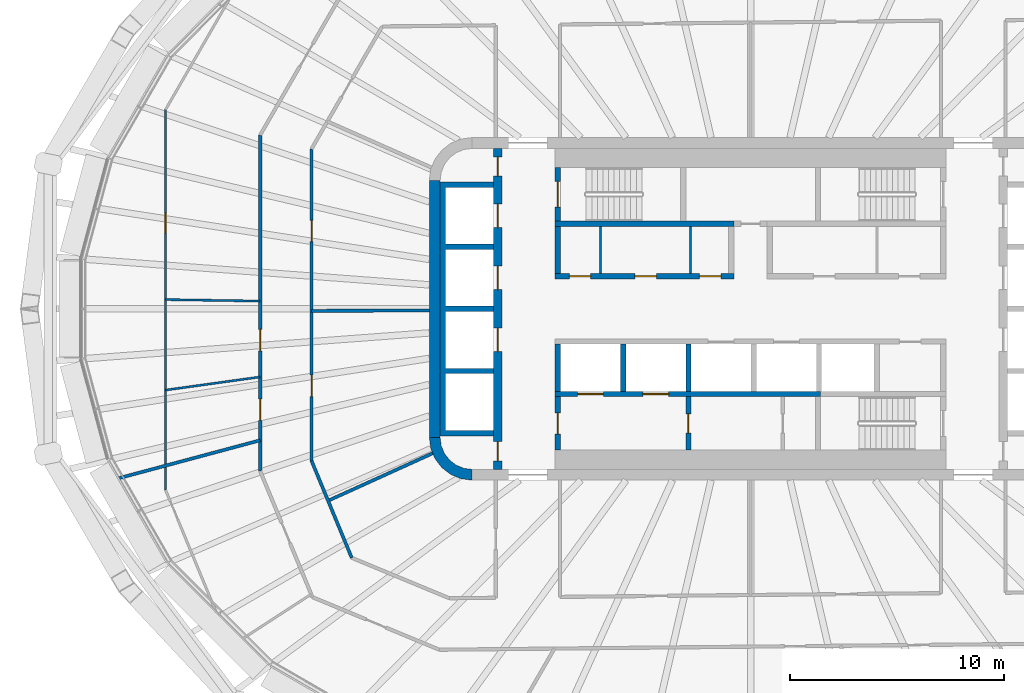
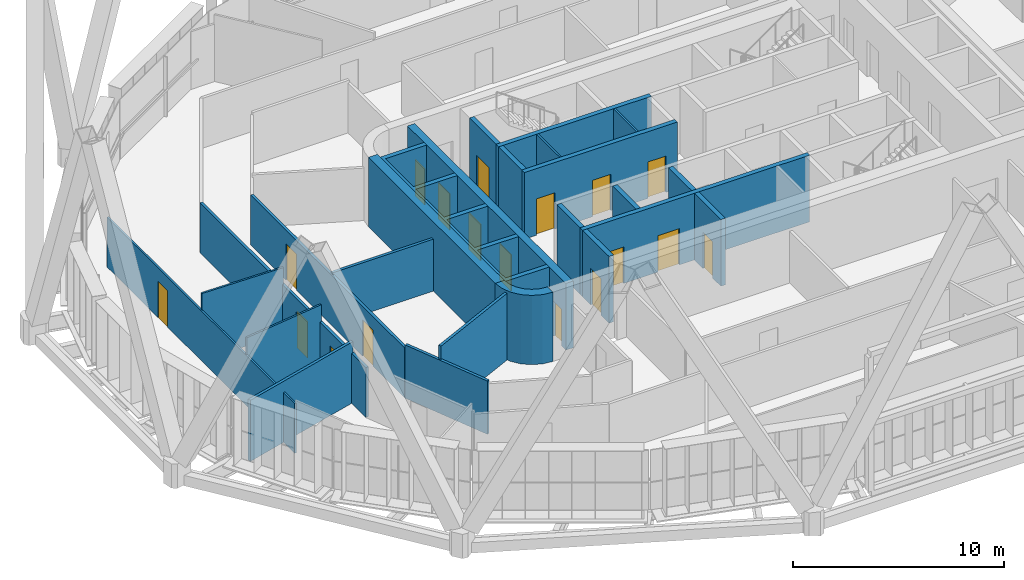
# One storey, part 14 of 25: 25 walls, 18 doors, 18 openings.
"""IFC4 building model written with IfcOpenShell, lengths in metres."""

from ifc_helpers import new_model, si_unit, direction, frame, frame_2d, origin, place, context, subcontext, project, spatial, polyline, rectangle, outline, extrude, material, layer, layer_set, type_object, element, fill, save


model = new_model("IFC4")

# Units and contexts
model_context = context("Model", 3, precision=1e-05, world=origin(), true_north=direction((0.0, 1.0)))
body_context = subcontext(model_context, "Body", "Model", "MODEL_VIEW")
ifc_project = project(units=[si_unit("LENGTHUNIT", "METRE"), si_unit("AREAUNIT", "SQUARE_METRE"), si_unit("VOLUMEUNIT", "CUBIC_METRE"), si_unit("PLANEANGLEUNIT", "RADIAN"), si_unit("MASSUNIT", "GRAM", prefix="KILO")], contexts=[model_context])

# Site, building, storey
site_placement = place(None, origin())
site = spatial("IfcSite", under=ifc_project, at=site_placement, CompositionType="ELEMENT")
building_placement = place(site_placement, origin())
building = spatial("IfcBuilding", under=site, at=building_placement, Name="Sahrelin Media Tower", CompositionType="ELEMENT")
storey_placement = place(building_placement, frame((0.0, 0.0, 165.60009765625)))
storey = spatial("IfcBuildingStorey", under=building, at=storey_placement, Name="L34", CompositionType="ELEMENT", Elevation=165.60009765625)

# Walls
ifc_material_1 = material(Name="Concrete C60/75", Category="concrete")
ifc_layer_1 = layer(ifc_material_1, 0.5)
ifc_layer_set_1 = layer_set([ifc_layer_1], Name="Core wall 500")
wall_type_1 = type_object("IfcWallType", Name="Core wall 500", PredefinedType="SHEAR", material=ifc_layer_set_1)
wall_1_placement = place(storey_placement, frame((-14.75, -6.0, 0.0), z_axis=(0.0, 0.0, 1.0), x_axis=(0.0, 1.0, 0.0)))
element("IfcWall", 1, at=wall_1_placement, inside=storey, type_object=wall_type_1, Name="Core wall W L34", PredefinedType="SHEAR", context=body_context, shape_type="SweptSolid", body=[
    extrude(rectangle(XDim=12.0, YDim=0.5, at=frame_2d((6.0, 0.0))), origin(), (0.0, 0.0, 1.0), 4.0),
])
placement = place(storey_placement, origin())
element("IfcWall", 2, at=placement, inside=storey, type_object=wall_type_1, Name="Core wall corner SW L34", PredefinedType="SHEAR", context=body_context, shape_type="SweptSolid", body=[
    extrude(outline(polyline([(-13.0, -8.0), (-13.0, -7.49560546875), (-13.38720703125, -7.44482421875), (-13.747802734375, -7.29541015625), (-14.0576171875, -7.0576171875), (-14.29541015625, -6.747802734375), (-14.44482421875, -6.38720703125), (-14.49560546875, -6.0), (-15.0, -6.0), (-14.931884765625, -6.517578125), (-14.732177734375, -7.0), (-14.414306640625, -7.414306640625), (-14.0, -7.732177734375), (-13.517578125, -7.931884765625), (-13.0, -8.0)])), origin(), (0.0, 0.0, 1.0), 4.0),
])

# Wall, openings, doors
ifc_material_2 = material(Name="Fire-rated gypsum board partition")
ifc_layer_2 = layer(ifc_material_2, 0.25)
ifc_layer_set_2 = layer_set([ifc_layer_2], Name="Fire-rated lobby wall 250")
wall_type_2 = type_object("IfcWallType", Name="Fire-rated lobby wall 250", PredefinedType="PARTITIONING", material=ifc_layer_set_2)
wall_3_placement = place(storey_placement, frame((-9.125, 1.52490234375, 0.0), z_axis=(0.0, 0.0, 1.0), x_axis=(1.0, 0.0, 0.0)))
wall_3 = element("IfcWall", 3, at=wall_3_placement, inside=storey, type_object=wall_type_2, Name="Core lobby wall", PredefinedType="PARTITIONING", context=body_context, shape_type="SweptSolid", body=[
    extrude(rectangle(XDim=8.35009765625, YDim=0.25, at=frame_2d((4.175048828125, 0.0))), origin(), (0.0, 0.0, 1.0), 3.849853515625),
])
opening_1_placement = place(wall_3_placement, frame((0.66259765625, 0.0, 0.0)))
opening_1 = element("IfcOpeningElement", 4, at=opening_1_placement, cuts=wall_3, Name="Opening L34-D08", PredefinedType="OPENING", context=body_context, shape_type="SweptSolid", body=[
    extrude(rectangle(XDim=1.0, YDim=2.10009765625, at=frame_2d((0.5, 1.050048828125))), frame((0.0, 0.125, 0.0), z_axis=(0.0, -1.0, 0.0), x_axis=(1.0, 0.0, 0.0)), (0.0, 0.0, 1.0), 0.25),
])
opening_2_placement = place(wall_3_placement, frame((3.72509765625, 0.0, 0.0)))
opening_2 = element("IfcOpeningElement", 5, at=opening_2_placement, cuts=wall_3, Name="Opening L34-D09", PredefinedType="OPENING", context=body_context, shape_type="SweptSolid", body=[
    extrude(rectangle(XDim=1.0, YDim=2.10009765625, at=frame_2d((0.5, 1.050048828125))), frame((0.0, 0.125, 0.0), z_axis=(0.0, -1.0, 0.0), x_axis=(1.0, 0.0, 0.0)), (0.0, 0.0, 1.0), 0.25),
])
opening_3_placement = place(wall_3_placement, frame((6.737548828125, 0.0, 0.0)))
opening_3 = element("IfcOpeningElement", 6, at=opening_3_placement, cuts=wall_3, Name="Opening L34-D10", PredefinedType="OPENING", context=body_context, shape_type="SweptSolid", body=[
    extrude(rectangle(XDim=1.0, YDim=2.10009765625, at=frame_2d((0.5, 1.050048828125))), frame((0.0, 0.125, 0.0), z_axis=(0.0, -1.0, 0.0), x_axis=(1.0, 0.0, 0.0)), (0.0, 0.0, 1.0), 0.25),
])
ifc_material_3 = material(Name="Steel fire door leaf", Category="steel")
door_type_1 = type_object("IfcDoorType", Name="Fire door 1000 x 2100 EI 60", OperationType="NOTDEFINED", PredefinedType="DOOR", material=ifc_material_3)
door_1_placement = place(opening_1_placement, origin())
door_1 = element("IfcDoor", 7, at=door_1_placement, inside=storey, type_object=door_type_1, Name="Core room door", OperationType="SINGLE_SWING_LEFT", OverallHeight=2.10009765625, OverallWidth=1.0, PredefinedType="DOOR", context=body_context, shape_type="SweptSolid", body=[
    extrude(rectangle(XDim=1.0, YDim=2.10009765625, at=frame_2d((0.5, 1.050048828125))), frame((0.0, 0.02490234375, 0.0), z_axis=(0.0, -1.0, 0.0), x_axis=(1.0, 0.0, 0.0)), (0.0, 0.0, 1.0), 0.050048828125),
])
fill(opening_1, door_1)
door_2_placement = place(opening_2_placement, origin())
door_2 = element("IfcDoor", 8, at=door_2_placement, inside=storey, type_object=door_type_1, Name="Core room door", OperationType="SINGLE_SWING_LEFT", OverallHeight=2.10009765625, OverallWidth=1.0, PredefinedType="DOOR", context=body_context, shape_type="SweptSolid", body=[
    extrude(rectangle(XDim=1.0, YDim=2.10009765625, at=frame_2d((0.5, 1.050048828125))), frame((0.0, 0.02490234375, 0.0), z_axis=(0.0, -1.0, 0.0), x_axis=(1.0, 0.0, 0.0)), (0.0, 0.0, 1.0), 0.050048828125),
])
fill(opening_2, door_2)
door_3_placement = place(opening_3_placement, origin())
door_3 = element("IfcDoor", 9, at=door_3_placement, inside=storey, type_object=door_type_1, Name="Core room door", OperationType="SINGLE_SWING_LEFT", OverallHeight=2.10009765625, OverallWidth=1.0, PredefinedType="DOOR", context=body_context, shape_type="SweptSolid", body=[
    extrude(rectangle(XDim=1.0, YDim=2.10009765625, at=frame_2d((0.5, 1.050048828125))), frame((0.0, 0.02490234375, 0.0), z_axis=(0.0, -1.0, 0.0), x_axis=(1.0, 0.0, 0.0)), (0.0, 0.0, 1.0), 0.050048828125),
])
fill(opening_3, door_3)

# Walls
wall_4_placement = place(storey_placement, frame((-9.0, 1.64990234375, 0.0), z_axis=(0.0, 0.0, 1.0), x_axis=(0.0, 1.0, 0.0)))
element("IfcWall", 10, at=wall_4_placement, inside=storey, type_object=wall_type_2, Name="Core lobby wall", PredefinedType="PARTITIONING", context=body_context, shape_type="SweptSolid", body=[
    extrude(rectangle(XDim=2.2001953125, YDim=0.25, at=frame_2d((1.10009765625, 0.0))), origin(), (0.0, 0.0, 1.0), 3.849853515625),
])
ifc_layer_3 = layer(ifc_material_2, 0.10009765625)
ifc_layer_set_3 = layer_set([ifc_layer_3], Name="Fire-rated partition 100")
wall_type_3 = type_object("IfcWallType", Name="Fire-rated partition 100", PredefinedType="PARTITIONING", material=ifc_layer_set_3)
for number, where, z_axis, x_axis, name in (
    (11, (-7.0, 1.64990234375, 0.0), (0.0, 0.0, 1.0), (0.0, 1.0, 0.0), "Core room partition"),
    (12, (-2.800048828125, 1.64990234375, 0.0), (0.0, 0.0, 1.0), (0.0, 1.0, 0.0), "Core room partition"),
):
    element("IfcWall", number, at=place(storey_placement, frame(where, z_axis=z_axis, x_axis=x_axis)), inside=storey, type_object=wall_type_3, Name=name, PredefinedType="PARTITIONING", context=body_context, shape_type="SweptSolid", body=[
        extrude(rectangle(XDim=2.2001953125, YDim=0.10009765625, at=frame_2d((1.10009765625, 0.0))), origin(), (0.0, 0.0, 1.0), 3.849853515625),
    ])
ifc_layer_4 = layer(ifc_material_2, 0.14990234375)
ifc_layer_set_4 = layer_set([ifc_layer_4], Name="Fire-rated partition 150")
wall_type_4 = type_object("IfcWallType", Name="Fire-rated partition 150", PredefinedType="PARTITIONING", material=ifc_layer_set_4)
wall_5_placement = place(storey_placement, frame((-20.5, -7.094970703125, 0.0), z_axis=(0.0, 0.0, 1.0), x_axis=(0.382878184095, -0.923798839653, 0.0)))
element("IfcWall", 13, at=wall_5_placement, inside=storey, type_object=wall_type_4, Name="Wall", PredefinedType="PARTITIONING", context=body_context, shape_type="SweptSolid", body=[
    extrude(rectangle(XDim=4.901611328125, YDim=0.14990234375, at=frame_2d((2.45068359375, 0.0))), origin(), (0.0, 0.0, 1.0), 3.075927734375),
])
wall_6_placement = place(storey_placement, frame((-20.5, -0.093994140625, 0.0), z_axis=(0.0, 0.0, 1.0), x_axis=(0.999990148138, 0.004438876723, 0.0)))
element("IfcWall", 14, at=wall_6_placement, inside=storey, type_object=wall_type_4, Name="Wall", PredefinedType="PARTITIONING", context=body_context, shape_type="SweptSolid", body=[
    extrude(rectangle(XDim=5.5, YDim=0.14990234375, at=frame_2d((2.75, 0.0))), origin(), (0.0, 0.0, 1.0), 2.994873046875),
])
wall_7_placement = place(storey_placement, frame((-29.528076171875, -7.912109375, 0.0), z_axis=(0.0, 0.0, 1.0), x_axis=(0.965910567046, 0.258875986659, 0.0)))
element("IfcWall", 15, at=wall_7_placement, inside=storey, type_object=wall_type_4, Name="Wall", PredefinedType="PARTITIONING", context=body_context, shape_type="SweptSolid", body=[
    extrude(rectangle(XDim=6.86181640625, YDim=0.14990234375, at=frame_2d((3.430908203125, 0.0))), origin(), (0.0, 0.0, 1.0), 3.526611328125),
])
wall_8_placement = place(storey_placement, frame((-19.72802734375, -8.9580078125, 0.0), z_axis=(0.0, 0.0, 1.0), x_axis=(0.910629511797, 0.413223779863, 0.0)))
element("IfcWall", 16, at=wall_8_placement, inside=storey, type_object=wall_type_4, Name="Wall", PredefinedType="PARTITIONING", context=body_context, shape_type="SweptSolid", body=[
    extrude(rectangle(XDim=5.3681640625, YDim=0.14990234375, at=frame_2d((2.68408203125, 0.0))), origin(), (0.0, 0.0, 1.0), 3.849853515625),
])

# Wall, openings, doors
wall_9_placement = place(storey_placement, frame((-20.5, -7.094970703125, 0.0), z_axis=(0.0, 0.0, 1.0), x_axis=(0.0, 1.0, 0.0)))
wall_9 = element("IfcWall", 17, at=wall_9_placement, inside=storey, type_object=wall_type_4, Name="Wall", PredefinedType="PARTITIONING", context=body_context, shape_type="SweptSolid", body=[
    extrude(rectangle(XDim=14.569091796875, YDim=0.14990234375, at=frame_2d((7.28466796875, 0.0))), origin(), (0.0, 0.0, 1.0), 2.876953125),
])
opening_4_placement = place(wall_9_placement, frame((10.234375, 0.0, 0.0)))
opening_4 = element("IfcOpeningElement", 18, at=opening_4_placement, cuts=wall_9, Name="Opening L34-D31", PredefinedType="OPENING", context=body_context, shape_type="SweptSolid", body=[
    extrude(rectangle(XDim=1.0, YDim=2.10009765625, at=frame_2d((0.5, 1.050048828125))), frame((0.0, 0.074951171875, 0.0), z_axis=(0.0, -1.0, 0.0), x_axis=(1.0, 0.0, 0.0)), (0.0, 0.0, 1.0), 0.14990234375),
])
opening_5_placement = place(wall_9_placement, frame((3.00048828125, 0.0, 0.0)))
opening_5 = element("IfcOpeningElement", 19, at=opening_5_placement, cuts=wall_9, Name="Opening L34-D32", PredefinedType="OPENING", context=body_context, shape_type="SweptSolid", body=[
    extrude(rectangle(XDim=1.0, YDim=2.10009765625, at=frame_2d((0.5, 1.050048828125))), frame((0.0, 0.074951171875, 0.0), z_axis=(0.0, -1.0, 0.0), x_axis=(1.0, 0.0, 0.0)), (0.0, 0.0, 1.0), 0.14990234375),
])
door_4_placement = place(opening_4_placement, origin())
door_4 = element("IfcDoor", 20, at=door_4_placement, inside=storey, type_object=door_type_1, Name="Fire door", OperationType="SINGLE_SWING_RIGHT", OverallHeight=2.10009765625, OverallWidth=1.0, PredefinedType="DOOR", context=body_context, shape_type="SweptSolid", body=[
    extrude(rectangle(XDim=1.0, YDim=2.10009765625, at=frame_2d((0.5, 1.050048828125))), frame((0.0, 0.02490234375, 0.0), z_axis=(0.0, -1.0, 0.0), x_axis=(1.0, 0.0, 0.0)), (0.0, 0.0, 1.0), 0.050048828125),
])
fill(opening_4, door_4)
door_5_placement = place(opening_5_placement, origin())
door_5 = element("IfcDoor", 21, at=door_5_placement, inside=storey, type_object=door_type_1, Name="Fire door", OperationType="SINGLE_SWING_LEFT", OverallHeight=2.10009765625, OverallWidth=1.0, PredefinedType="DOOR", context=body_context, shape_type="SweptSolid", body=[
    extrude(rectangle(XDim=1.0, YDim=2.10009765625, at=frame_2d((0.5, 1.050048828125))), frame((0.0, 0.02490234375, 0.0), z_axis=(0.0, -1.0, 0.0), x_axis=(1.0, 0.0, 0.0)), (0.0, 0.0, 1.0), 0.050048828125),
])
fill(opening_5, door_5)

wall_10_placement = place(storey_placement, frame((-22.89990234375, -7.572021484375, 0.0), z_axis=(0.0, 0.0, 1.0), x_axis=(0.0, 1.0, 0.0)))
wall_10 = element("IfcWall", 22, at=wall_10_placement, inside=storey, type_object=wall_type_4, Name="Wall", PredefinedType="PARTITIONING", context=body_context, shape_type="SweptSolid", body=[
    extrude(rectangle(XDim=15.68896484375, YDim=0.14990234375, at=frame_2d((7.844482421875, 0.0))), origin(), (0.0, 0.0, 1.0), 2.876953125),
])
opening_6_placement = place(wall_10_placement, frame((5.61376953125, 0.0, 0.0)))
opening_6 = element("IfcOpeningElement", 23, at=opening_6_placement, cuts=wall_10, Name="Opening L34-D36", PredefinedType="OPENING", context=body_context, shape_type="SweptSolid", body=[
    extrude(rectangle(XDim=1.0, YDim=2.10009765625, at=frame_2d((0.5, 1.050048828125))), frame((0.0, 0.074951171875, 0.0), z_axis=(0.0, -1.0, 0.0), x_axis=(1.0, 0.0, 0.0)), (0.0, 0.0, 1.0), 0.14990234375),
])
opening_7_placement = place(wall_10_placement, frame((2.36083984375, 0.0, 0.0)))
opening_7 = element("IfcOpeningElement", 24, at=opening_7_placement, cuts=wall_10, Name="Opening L34-D37", PredefinedType="OPENING", context=body_context, shape_type="SweptSolid", body=[
    extrude(rectangle(XDim=1.0, YDim=2.10009765625, at=frame_2d((0.5, 1.050048828125))), frame((0.0, 0.074951171875, 0.0), z_axis=(0.0, -1.0, 0.0), x_axis=(1.0, 0.0, 0.0)), (0.0, 0.0, 1.0), 0.14990234375),
])
door_6_placement = place(opening_6_placement, origin())
door_6 = element("IfcDoor", 25, at=door_6_placement, inside=storey, type_object=door_type_1, Name="Fire door", OperationType="SINGLE_SWING_RIGHT", OverallHeight=2.10009765625, OverallWidth=1.0, PredefinedType="DOOR", context=body_context, shape_type="SweptSolid", body=[
    extrude(rectangle(XDim=1.0, YDim=2.10009765625, at=frame_2d((0.5, 1.050048828125))), frame((0.0, 0.02490234375, 0.0), z_axis=(0.0, -1.0, 0.0), x_axis=(1.0, 0.0, 0.0)), (0.0, 0.0, 1.0), 0.050048828125),
])
fill(opening_6, door_6)
door_7_placement = place(opening_7_placement, origin())
door_7 = element("IfcDoor", 26, at=door_7_placement, inside=storey, type_object=door_type_1, Name="Fire door", OperationType="SINGLE_SWING_LEFT", OverallHeight=2.10009765625, OverallWidth=1.0, PredefinedType="DOOR", context=body_context, shape_type="SweptSolid", body=[
    extrude(rectangle(XDim=1.0, YDim=2.10009765625, at=frame_2d((0.5, 1.050048828125))), frame((0.0, 0.02490234375, 0.0), z_axis=(0.0, -1.0, 0.0), x_axis=(1.0, 0.0, 0.0)), (0.0, 0.0, 1.0), 0.050048828125),
])
fill(opening_7, door_7)

# Wall, opening, door
ifc_layer_5 = layer(ifc_material_2, 0.25)
ifc_layer_set_5 = layer_set([ifc_layer_5], Name="Firefighting lobby wall 250")
wall_type_5 = type_object("IfcWallType", Name="Firefighting lobby wall 250", PredefinedType="PARTITIONING", material=ifc_layer_set_5)
wall_11_placement = place(storey_placement, frame((-9.0, -6.60009765625, 0.0), z_axis=(0.0, 0.0, 1.0), x_axis=(0.0, 1.0, 0.0)))
wall_11 = element("IfcWall", 27, at=wall_11_placement, inside=storey, type_object=wall_type_5, Name="Core wall", PredefinedType="PARTITIONING", context=body_context, shape_type="SweptSolid", body=[
    extrude(rectangle(XDim=2.5, YDim=0.25, at=frame_2d((1.25, 0.0))), origin(), (0.0, 0.0, 1.0), 3.849853515625),
])
opening_8_placement = place(wall_11_placement, frame((0.75, 0.0, 0.0)))
opening_8 = element("IfcOpeningElement", 28, at=opening_8_placement, cuts=wall_11, Name="Opening L34-D04", PredefinedType="OPENING", context=body_context, shape_type="SweptSolid", body=[
    extrude(rectangle(XDim=1.0, YDim=2.10009765625, at=frame_2d((0.5, 1.050048828125))), frame((0.0, 0.125, 0.0), z_axis=(0.0, -1.0, 0.0), x_axis=(1.0, 0.0, 0.0)), (0.0, 0.0, 1.0), 0.25),
])
door_type_2 = type_object("IfcDoorType", Name="Firefighting lobby door 1000 x 2100 EI 120", OperationType="NOTDEFINED", PredefinedType="DOOR", material=ifc_material_3)
door_8_placement = place(opening_8_placement, origin())
door_8 = element("IfcDoor", 29, at=door_8_placement, inside=storey, type_object=door_type_2, Name="Firefighting lobby door", OperationType="SINGLE_SWING_LEFT", OverallHeight=2.10009765625, OverallWidth=1.0, PredefinedType="DOOR", context=body_context, shape_type="SweptSolid", body=[
    extrude(rectangle(XDim=1.0, YDim=2.10009765625, at=frame_2d((0.5, 1.050048828125))), frame((0.0, 0.02490234375, 0.0), z_axis=(0.0, -1.0, 0.0), x_axis=(1.0, 0.0, 0.0)), (0.0, 0.0, 1.0), 0.050048828125),
])
fill(opening_8, door_8)

wall_12_placement = place(storey_placement, frame((-2.89990234375, -6.60009765625, 0.0), z_axis=(0.0, 0.0, 1.0), x_axis=(0.0, 1.0, 0.0)))
wall_12 = element("IfcWall", 30, at=wall_12_placement, inside=storey, type_object=wall_type_5, Name="Core wall", PredefinedType="PARTITIONING", context=body_context, shape_type="SweptSolid", body=[
    extrude(rectangle(XDim=2.5, YDim=0.25, at=frame_2d((1.25, 0.0))), origin(), (0.0, 0.0, 1.0), 3.849853515625),
])
opening_9_placement = place(wall_12_placement, frame((0.800048828125, 0.0, 0.0)))
opening_9 = element("IfcOpeningElement", 31, at=opening_9_placement, cuts=wall_12, Name="Opening L34-D05", PredefinedType="OPENING", context=body_context, shape_type="SweptSolid", body=[
    extrude(rectangle(XDim=0.89990234375, YDim=2.10009765625, at=frame_2d((0.449951171875, 1.050048828125))), frame((0.0, 0.125, 0.0), z_axis=(0.0, -1.0, 0.0), x_axis=(1.0, 0.0, 0.0)), (0.0, 0.0, 1.0), 0.25),
])
door_type_3 = type_object("IfcDoorType", Name="Firefighting lobby door 900 x 2100 EI 120", OperationType="NOTDEFINED", PredefinedType="DOOR", material=ifc_material_3)
door_9_placement = place(opening_9_placement, origin())
door_9 = element("IfcDoor", 32, at=door_9_placement, inside=storey, type_object=door_type_3, Name="Riser door", OperationType="SINGLE_SWING_RIGHT", OverallHeight=2.10009765625, OverallWidth=0.89990234375, PredefinedType="DOOR", context=body_context, shape_type="SweptSolid", body=[
    extrude(rectangle(XDim=0.89990234375, YDim=2.10009765625, at=frame_2d((0.449951171875, 1.050048828125))), frame((0.0, 0.02490234375, 0.0), z_axis=(0.0, -1.0, 0.0), x_axis=(1.0, 0.0, 0.0)), (0.0, 0.0, 1.0), 0.050048828125),
])
fill(opening_9, door_9)

# Wall, openings, doors
ifc_layer_6 = layer(ifc_material_1, 0.25)
ifc_layer_set_6 = layer_set([ifc_layer_6], Name="Lift shaft wall 250")
wall_type_6 = type_object("IfcWallType", Name="Lift shaft wall 250", PredefinedType="SOLIDWALL", material=ifc_layer_set_6)
wall_13_placement = place(storey_placement, frame((-9.125, -3.97509765625, 0.0), z_axis=(0.0, 0.0, 1.0), x_axis=(1.0, 0.0, 0.0)))
wall_13 = element("IfcWall", 33, at=wall_13_placement, inside=storey, type_object=wall_type_6, Name="Lift shaft wall", PredefinedType="SOLIDWALL", context=body_context, shape_type="SweptSolid", body=[
    extrude(rectangle(XDim=12.39990234375, YDim=0.25, at=frame_2d((6.199951171875, 0.0))), origin(), (0.0, 0.0, 1.0), 3.849853515625),
])
opening_10_placement = place(wall_13_placement, frame((1.050048828125, 0.0, 0.0)))
opening_10 = element("IfcOpeningElement", 34, at=opening_10_placement, cuts=wall_13, Name="Opening L34-LD-FF1", PredefinedType="OPENING", context=body_context, shape_type="SweptSolid", body=[
    extrude(rectangle(XDim=1.199951171875, YDim=2.10009765625, at=frame_2d((0.60009765625, 1.050048828125))), frame((0.0, 0.125, 0.0), z_axis=(0.0, -1.0, 0.0), x_axis=(1.0, 0.0, 0.0)), (0.0, 0.0, 1.0), 0.25),
])
opening_11_placement = place(wall_13_placement, frame((4.10009765625, 0.0, 0.0)))
opening_11 = element("IfcOpeningElement", 35, at=opening_11_placement, cuts=wall_13, Name="Opening L34-LD-FF2", PredefinedType="OPENING", context=body_context, shape_type="SweptSolid", body=[
    extrude(rectangle(XDim=1.199951171875, YDim=2.10009765625, at=frame_2d((0.60009765625, 1.050048828125))), frame((0.0, 0.125, 0.0), z_axis=(0.0, -1.0, 0.0), x_axis=(1.0, 0.0, 0.0)), (0.0, 0.0, 1.0), 0.25),
])
ifc_material_4 = material(Name="Stainless steel", Category="steel")
door_type_4 = type_object("IfcDoorType", Name="Lift landing door 1200 x 2100 EI 120", OperationType="DOUBLE_DOOR_SLIDING", PredefinedType="DOOR", material=ifc_material_4)
door_10_placement = place(opening_10_placement, origin())
door_10 = element("IfcDoor", 36, at=door_10_placement, inside=storey, type_object=door_type_4, Name="Lift landing door FF1", OperationType="DOUBLE_DOOR_SLIDING", OverallHeight=2.10009765625, OverallWidth=1.199951171875, PredefinedType="DOOR", context=body_context, shape_type="SweptSolid", body=[
    extrude(rectangle(XDim=1.199951171875, YDim=2.10009765625, at=frame_2d((0.60009765625, 1.050048828125))), frame((0.0, 0.02490234375, 0.0), z_axis=(0.0, -1.0, 0.0), x_axis=(1.0, 0.0, 0.0)), (0.0, 0.0, 1.0), 0.050048828125),
])
fill(opening_10, door_10)
door_11_placement = place(opening_11_placement, origin())
door_11 = element("IfcDoor", 37, at=door_11_placement, inside=storey, type_object=door_type_4, Name="Lift landing door FF2", OperationType="DOUBLE_DOOR_SLIDING", OverallHeight=2.10009765625, OverallWidth=1.199951171875, PredefinedType="DOOR", context=body_context, shape_type="SweptSolid", body=[
    extrude(rectangle(XDim=1.199951171875, YDim=2.10009765625, at=frame_2d((0.60009765625, 1.050048828125))), frame((0.0, 0.02490234375, 0.0), z_axis=(0.0, -1.0, 0.0), x_axis=(1.0, 0.0, 0.0)), (0.0, 0.0, 1.0), 0.050048828125),
])
fill(opening_11, door_11)

# Walls
for number, where, z_axis, x_axis, name in (
    (38, (-9.0, -3.85009765625, 0.0), (0.0, 0.0, 1.0), (0.0, 1.0, 0.0), "Lift shaft wall"),
    (39, (-5.949951171875, -3.85009765625, 0.0), (0.0, 0.0, 1.0), (0.0, 1.0, 0.0), "Lift shaft wall"),
    (40, (-2.89990234375, -3.85009765625, 0.0), (0.0, 0.0, 1.0), (0.0, 1.0, 0.0), "Lift shaft wall"),
):
    element("IfcWall", number, at=place(storey_placement, frame(where, z_axis=z_axis, x_axis=x_axis)), inside=storey, type_object=wall_type_6, Name=name, PredefinedType="SOLIDWALL", context=body_context, shape_type="SweptSolid", body=[
        extrude(rectangle(XDim=2.2001953125, YDim=0.25, at=frame_2d((1.10009765625, 0.0))), origin(), (0.0, 0.0, 1.0), 3.849853515625),
    ])
element("IfcWall", 41, at=placement, inside=storey, type_object=wall_type_6, Name="Lift shaft wall", PredefinedType="SOLIDWALL", context=body_context, shape_type="SweptSolid", body=[
    extrude(outline(polyline([(-12.0, -5.925048828125), (-12.0, -5.675048828125), (-14.25, -5.675048828125), (-14.25, -3.02490234375), (-12.0, -3.02490234375), (-12.0, -2.77490234375), (-14.25, -2.77490234375), (-14.25, -0.125), (-12.0, -0.125), (-12.0, 0.125), (-14.25, 0.125), (-14.25, 2.77490234375), (-12.0, 2.77490234375), (-12.0, 3.02490234375), (-14.25, 3.02490234375), (-14.25, 5.675048828125), (-12.0, 5.675048828125), (-12.0, 5.925048828125), (-14.25, 5.925048828125), (-14.5, 5.925048828125), (-14.5, 5.675048828125), (-14.5, 3.02490234375), (-14.5, 2.77490234375), (-14.5, 0.125), (-14.5, -0.125), (-14.5, -2.77490234375), (-14.5, -3.02490234375), (-14.5, -5.675048828125), (-14.5, -5.925048828125), (-14.25, -5.925048828125), (-12.0, -5.925048828125)])), origin(), (0.0, 0.0, 1.0), 3.849853515625),
])

# Wall, openings, doors
ifc_layer_7 = layer(ifc_material_1, 0.39990234375)
ifc_layer_set_7 = layer_set([ifc_layer_7], Name="Lift shaft wall 400")
wall_type_7 = type_object("IfcWallType", Name="Lift shaft wall 400", PredefinedType="SOLIDWALL", material=ifc_layer_set_7)
wall_15_placement = place(storey_placement, frame((-11.800048828125, -7.5, 0.0), z_axis=(0.0, 0.0, 1.0), x_axis=(0.0, 1.0, 0.0)))
wall_15 = element("IfcWall", 42, at=wall_15_placement, inside=storey, type_object=wall_type_7, Name="Lift shaft wall", PredefinedType="SOLIDWALL", context=body_context, shape_type="SweptSolid", body=[
    extrude(rectangle(XDim=15.0, YDim=0.39990234375, at=frame_2d((7.5, 0.0))), origin(), (0.0, 0.0, 1.0), 3.849853515625),
])
opening_12_placement = place(wall_15_placement, frame((11.300048828125, 0.0, 0.0)))
opening_12 = element("IfcOpeningElement", 43, at=opening_12_placement, cuts=wall_15, Name="Opening L34-LD-LR1", PredefinedType="OPENING", context=body_context, shape_type="SweptSolid", body=[
    extrude(rectangle(XDim=1.10009765625, YDim=2.10009765625, at=frame_2d((0.550048828125, 1.050048828125))), frame((0.0, 0.199951171875, 0.0), z_axis=(0.0, -1.0, 0.0), x_axis=(1.0, 0.0, 0.0)), (0.0, 0.0, 1.0), 0.39990234375),
])
opening_13_placement = place(wall_15_placement, frame((8.39990234375, 0.0, 0.0)))
opening_13 = element("IfcOpeningElement", 44, at=opening_13_placement, cuts=wall_15, Name="Opening L34-LD-LR2", PredefinedType="OPENING", context=body_context, shape_type="SweptSolid", body=[
    extrude(rectangle(XDim=1.10009765625, YDim=2.10009765625, at=frame_2d((0.550048828125, 1.050048828125))), frame((0.0, 0.199951171875, 0.0), z_axis=(0.0, -1.0, 0.0), x_axis=(1.0, 0.0, 0.0)), (0.0, 0.0, 1.0), 0.39990234375),
])
opening_14_placement = place(wall_15_placement, frame((5.5, 0.0, 0.0)))
opening_14 = element("IfcOpeningElement", 45, at=opening_14_placement, cuts=wall_15, Name="Opening L34-LD-LR3", PredefinedType="OPENING", context=body_context, shape_type="SweptSolid", body=[
    extrude(rectangle(XDim=1.10009765625, YDim=2.10009765625, at=frame_2d((0.550048828125, 1.050048828125))), frame((0.0, 0.199951171875, 0.0), z_axis=(0.0, -1.0, 0.0), x_axis=(1.0, 0.0, 0.0)), (0.0, 0.0, 1.0), 0.39990234375),
])
opening_15_placement = place(wall_15_placement, frame((13.696533203125, 0.0, 0.0)))
opening_15 = element("IfcOpeningElement", 46, at=opening_15_placement, cuts=wall_15, Name="Opening L34-D14", PredefinedType="OPENING", context=body_context, shape_type="SweptSolid", body=[
    extrude(rectangle(XDim=0.89990234375, YDim=2.10009765625, at=frame_2d((0.449951171875, 1.050048828125))), frame((0.0, 0.199951171875, 0.0), z_axis=(0.0, -1.0, 0.0), x_axis=(1.0, 0.0, 0.0)), (0.0, 0.0, 1.0), 0.39990234375),
])
opening_16_placement = place(wall_15_placement, frame((0.4033203125, 0.0, 0.0)))
opening_16 = element("IfcOpeningElement", 47, at=opening_16_placement, cuts=wall_15, Name="Opening L34-D15", PredefinedType="OPENING", context=body_context, shape_type="SweptSolid", body=[
    extrude(rectangle(XDim=0.89990234375, YDim=2.10009765625, at=frame_2d((0.449951171875, 1.050048828125))), frame((0.0, 0.199951171875, 0.0), z_axis=(0.0, -1.0, 0.0), x_axis=(1.0, 0.0, 0.0)), (0.0, 0.0, 1.0), 0.39990234375),
])
door_type_5 = type_object("IfcDoorType", Name="Lift landing door 1100 x 2100 EI 120", OperationType="DOUBLE_DOOR_SLIDING", PredefinedType="DOOR", material=ifc_material_4)
door_12_placement = place(opening_12_placement, origin())
door_12 = element("IfcDoor", 48, at=door_12_placement, inside=storey, type_object=door_type_5, Name="Lift landing door LR1", OperationType="DOUBLE_DOOR_SLIDING", OverallHeight=2.10009765625, OverallWidth=1.10009765625, PredefinedType="DOOR", context=body_context, shape_type="SweptSolid", body=[
    extrude(rectangle(XDim=1.10009765625, YDim=2.10009765625, at=frame_2d((0.550048828125, 1.050048828125))), frame((0.0, 0.02490234375, 0.0), z_axis=(0.0, -1.0, 0.0), x_axis=(1.0, 0.0, 0.0)), (0.0, 0.0, 1.0), 0.050048828125),
])
fill(opening_12, door_12)
door_13_placement = place(opening_13_placement, origin())
door_13 = element("IfcDoor", 49, at=door_13_placement, inside=storey, type_object=door_type_5, Name="Lift landing door LR2", OperationType="DOUBLE_DOOR_SLIDING", OverallHeight=2.10009765625, OverallWidth=1.10009765625, PredefinedType="DOOR", context=body_context, shape_type="SweptSolid", body=[
    extrude(rectangle(XDim=1.10009765625, YDim=2.10009765625, at=frame_2d((0.550048828125, 1.050048828125))), frame((0.0, 0.02490234375, 0.0), z_axis=(0.0, -1.0, 0.0), x_axis=(1.0, 0.0, 0.0)), (0.0, 0.0, 1.0), 0.050048828125),
])
fill(opening_13, door_13)
door_14_placement = place(opening_14_placement, origin())
door_14 = element("IfcDoor", 50, at=door_14_placement, inside=storey, type_object=door_type_5, Name="Lift landing door LR3", OperationType="DOUBLE_DOOR_SLIDING", OverallHeight=2.10009765625, OverallWidth=1.10009765625, PredefinedType="DOOR", context=body_context, shape_type="SweptSolid", body=[
    extrude(rectangle(XDim=1.10009765625, YDim=2.10009765625, at=frame_2d((0.550048828125, 1.050048828125))), frame((0.0, 0.02490234375, 0.0), z_axis=(0.0, -1.0, 0.0), x_axis=(1.0, 0.0, 0.0)), (0.0, 0.0, 1.0), 0.050048828125),
])
fill(opening_14, door_14)
door_type_6 = type_object("IfcDoorType", Name="Riser door 900 x 2100 EI 120", OperationType="NOTDEFINED", PredefinedType="DOOR", material=ifc_material_3)
door_15_placement = place(opening_15_placement, origin())
door_15 = element("IfcDoor", 51, at=door_15_placement, inside=storey, type_object=door_type_6, Name="Riser door", OperationType="SINGLE_SWING_LEFT", OverallHeight=2.10009765625, OverallWidth=0.89990234375, PredefinedType="DOOR", context=body_context, shape_type="SweptSolid", body=[
    extrude(rectangle(XDim=0.89990234375, YDim=2.10009765625, at=frame_2d((0.449951171875, 1.050048828125))), frame((0.0, 0.02490234375, 0.0), z_axis=(0.0, -1.0, 0.0), x_axis=(1.0, 0.0, 0.0)), (0.0, 0.0, 1.0), 0.050048828125),
])
fill(opening_15, door_15)
door_16_placement = place(opening_16_placement, origin())
door_16 = element("IfcDoor", 52, at=door_16_placement, inside=storey, type_object=door_type_6, Name="Riser door", OperationType="SINGLE_SWING_LEFT", OverallHeight=2.10009765625, OverallWidth=0.89990234375, PredefinedType="DOOR", context=body_context, shape_type="SweptSolid", body=[
    extrude(rectangle(XDim=0.89990234375, YDim=2.10009765625, at=frame_2d((0.449951171875, 1.050048828125))), frame((0.0, 0.02490234375, 0.0), z_axis=(0.0, -1.0, 0.0), x_axis=(1.0, 0.0, 0.0)), (0.0, 0.0, 1.0), 0.050048828125),
])
fill(opening_16, door_16)

# Walls
ifc_material_5 = material(Name="Gypsum board partition")
ifc_layer_8 = layer(ifc_material_5, 0.10009765625)
ifc_layer_set_8 = layer_set([ifc_layer_8], Name="Partition 100")
wall_type_8 = type_object("IfcWallType", Name="Partition 100", PredefinedType="PARTITIONING", material=ifc_layer_set_8)
wall_16_placement = place(storey_placement, frame((-27.320068359375, 0.43505859375, 0.0), z_axis=(0.0, 0.0, 1.0), x_axis=(0.999874381125, -0.015849983285, 0.0)))
element("IfcWall", 53, at=wall_16_placement, inside=storey, type_object=wall_type_8, Name="Wall", PredefinedType="PARTITIONING", context=body_context, shape_type="SweptSolid", body=[
    extrude(rectangle(XDim=4.420654296875, YDim=0.10009765625, at=frame_2d((2.21044921875, 0.0))), origin(), (0.0, 0.0, 1.0), 3.849853515625),
])
wall_17_placement = place(storey_placement, frame((-27.320068359375, -3.791015625, 0.0), z_axis=(0.0, 0.0, 1.0), x_axis=(0.990518967412, 0.137376035745, 0.0)))
element("IfcWall", 54, at=wall_17_placement, inside=storey, type_object=wall_type_8, Name="Wall", PredefinedType="PARTITIONING", context=body_context, shape_type="SweptSolid", body=[
    extrude(rectangle(XDim=4.46240234375, YDim=0.10009765625, at=frame_2d((2.231201171875, 0.0))), origin(), (0.0, 0.0, 1.0), 3.849853515625),
])

# Wall, opening, door
wall_18_placement = place(storey_placement, frame((-27.320068359375, -8.451904296875, 0.0), z_axis=(0.0, 0.0, 1.0), x_axis=(0.0, 1.0, 0.0)))
wall_18 = element("IfcWall", 55, at=wall_18_placement, inside=storey, type_object=wall_type_8, Name="Wall", PredefinedType="PARTITIONING", context=body_context, shape_type="SweptSolid", body=[
    extrude(rectangle(XDim=17.7529296875, YDim=0.10009765625, at=frame_2d((8.87646484375, 0.0))), origin(), (0.0, 0.0, 1.0), 2.876953125),
])
opening_17_placement = place(wall_18_placement, frame((12.01171875, 0.0, 0.0)))
opening_17 = element("IfcOpeningElement", 56, at=opening_17_placement, cuts=wall_18, Name="Opening L34-D38", PredefinedType="OPENING", context=body_context, shape_type="SweptSolid", body=[
    extrude(rectangle(XDim=0.89990234375, YDim=2.10009765625, at=frame_2d((0.449951171875, 1.050048828125))), frame((0.0, 0.050048828125, 0.0), z_axis=(0.0, -1.0, 0.0), x_axis=(1.0, 0.0, 0.0)), (0.0, 0.0, 1.0), 0.10009765625),
])
ifc_material_6 = material(Name="Timber door leaf", Category="wood")
door_type_7 = type_object("IfcDoorType", Name="Single door 900 x 2100", OperationType="NOTDEFINED", PredefinedType="DOOR", material=ifc_material_6)
door_17_placement = place(opening_17_placement, origin())
door_17 = element("IfcDoor", 57, at=door_17_placement, inside=storey, type_object=door_type_7, Name="Single door", OperationType="SINGLE_SWING_LEFT", OverallHeight=2.10009765625, OverallWidth=0.89990234375, PredefinedType="DOOR", context=body_context, shape_type="SweptSolid", body=[
    extrude(rectangle(XDim=0.89990234375, YDim=2.10009765625, at=frame_2d((0.449951171875, 1.050048828125))), frame((0.0, 0.02490234375, 0.0), z_axis=(0.0, -1.0, 0.0), x_axis=(1.0, 0.0, 0.0)), (0.0, 0.0, 1.0), 0.050048828125),
])
fill(opening_17, door_17)

ifc_layer_9 = layer(ifc_material_1, 0.25)
ifc_layer_set_9 = layer_set([ifc_layer_9], Name="Stair enclosure wall 250")
wall_type_9 = type_object("IfcWallType", Name="Stair enclosure wall 250", PredefinedType="SOLIDWALL", material=ifc_layer_set_9)
wall_19_placement = place(storey_placement, frame((-9.0, 4.10009765625, 0.0), z_axis=(0.0, 0.0, 1.0), x_axis=(0.0, 1.0, 0.0)))
wall_19 = element("IfcWall", 58, at=wall_19_placement, inside=storey, type_object=wall_type_9, Name="Stair enclosure wall", PredefinedType="SOLIDWALL", context=body_context, shape_type="SweptSolid", body=[
    extrude(rectangle(XDim=2.5, YDim=0.25, at=frame_2d((1.25, 0.0))), origin(), (0.0, 0.0, 1.0), 3.849853515625),
])
opening_18_placement = place(wall_19_placement, frame((0.64990234375, 0.0, 0.0)))
opening_18 = element("IfcOpeningElement", 59, at=opening_18_placement, cuts=wall_19, Name="Opening L34-D01", PredefinedType="OPENING", context=body_context, shape_type="SweptSolid", body=[
    extrude(rectangle(XDim=1.199951171875, YDim=2.10009765625, at=frame_2d((0.60009765625, 1.050048828125))), frame((0.0, 0.125, 0.0), z_axis=(0.0, -1.0, 0.0), x_axis=(1.0, 0.0, 0.0)), (0.0, 0.0, 1.0), 0.25),
])
door_type_8 = type_object("IfcDoorType", Name="Stair door 1200 x 2100 EI 120", OperationType="NOTDEFINED", PredefinedType="DOOR", material=ifc_material_3)
door_18_placement = place(opening_18_placement, origin())
door_18 = element("IfcDoor", 60, at=door_18_placement, inside=storey, type_object=door_type_8, Name="Stair door ST1", OperationType="SINGLE_SWING_RIGHT", OverallHeight=2.10009765625, OverallWidth=1.199951171875, PredefinedType="DOOR", context=body_context, shape_type="SweptSolid", body=[
    extrude(rectangle(XDim=1.199951171875, YDim=2.10009765625, at=frame_2d((0.60009765625, 1.050048828125))), frame((0.0, 0.02490234375, 0.0), z_axis=(0.0, -1.0, 0.0), x_axis=(1.0, 0.0, 0.0)), (0.0, 0.0, 1.0), 0.050048828125),
])
fill(opening_18, door_18)

# Wall
wall_20_placement = place(storey_placement, frame((-9.125, 3.97509765625, 0.0), z_axis=(0.0, 0.0, 1.0), x_axis=(1.0, 0.0, 0.0)))
element("IfcWall", 61, at=wall_20_placement, inside=storey, type_object=wall_type_9, Name="Stair enclosure wall", PredefinedType="SOLIDWALL", context=body_context, shape_type="SweptSolid", body=[
    extrude(rectangle(XDim=8.35009765625, YDim=0.25, at=frame_2d((4.175048828125, 0.0))), origin(), (0.0, 0.0, 1.0), 3.849853515625),
])

save(model, "model.ifc")
